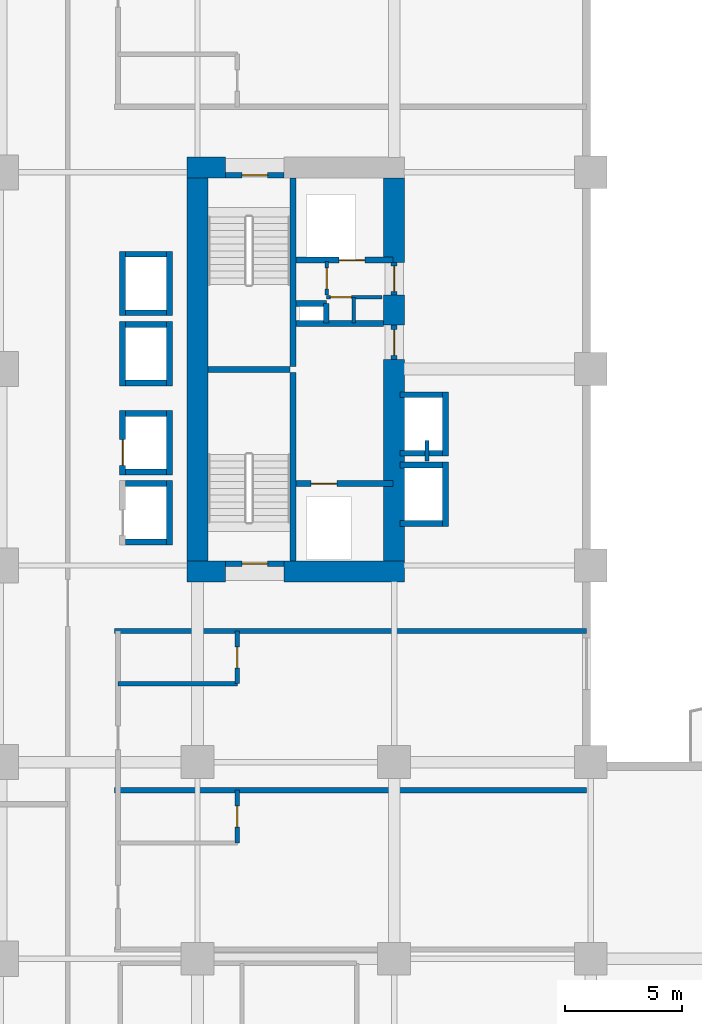
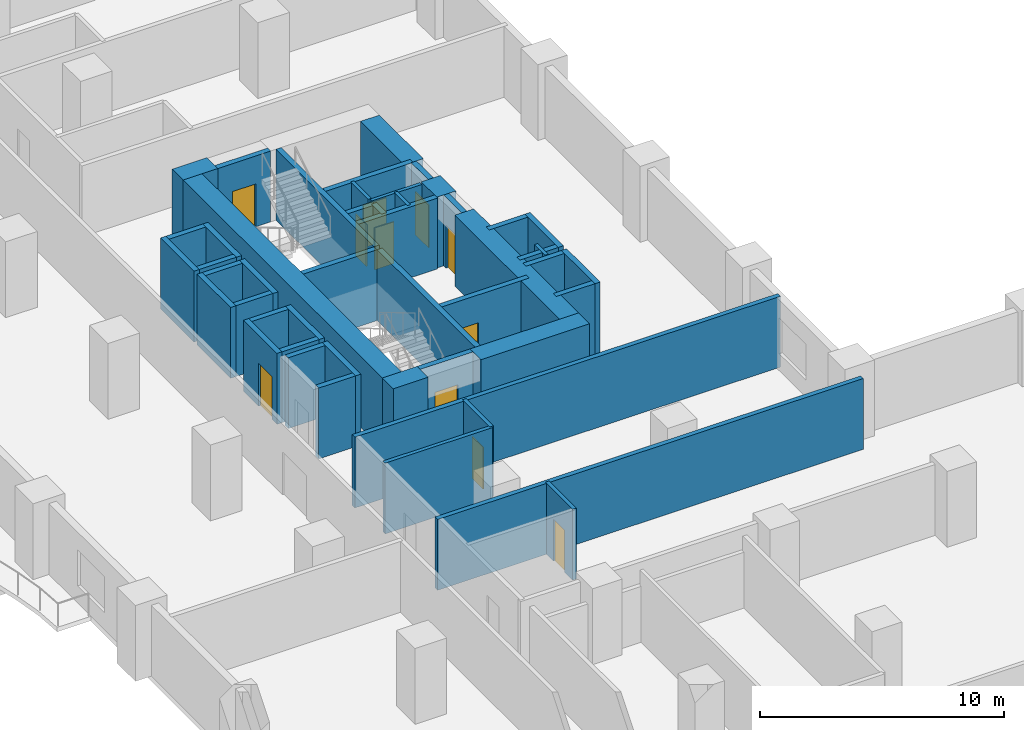
# One storey, part 12 of 22: 49 walls, 11 doors, 11 openings.
"""IFC4 building model written with IfcOpenShell, lengths in metres."""

from ifc_helpers import new_model, si_unit, direction, frame, frame_2d, origin, place, context, subcontext, project, spatial, rectangle, extrude, material, layer, layer_set, type_object, element, fill, save


model = new_model("IFC4")

# Units and contexts
model_context = context("Model", 3, precision=1e-05, world=origin(), true_north=direction((0.0, 1.0)))
body_context = subcontext(model_context, "Body", "Model", "MODEL_VIEW")
ifc_project = project(units=[si_unit("LENGTHUNIT", "METRE"), si_unit("AREAUNIT", "SQUARE_METRE"), si_unit("VOLUMEUNIT", "CUBIC_METRE"), si_unit("PLANEANGLEUNIT", "RADIAN"), si_unit("MASSUNIT", "GRAM", prefix="KILO")], contexts=[model_context])

# Site, building, storey
site_placement = place(None, origin())
site = spatial("IfcSite", under=ifc_project, at=site_placement, CompositionType="ELEMENT")
building_placement = place(site_placement, origin())
building = spatial("IfcBuilding", under=site, at=building_placement, Name="Koriwani Terraces Tower", CompositionType="ELEMENT")
storey_placement = place(building_placement, frame((0.0, 0.0, 62.39990234375)))
storey = spatial("IfcBuildingStorey", under=building, at=storey_placement, Name="L14", CompositionType="ELEMENT", Elevation=62.39990234375)

# Walls
ifc_material_1 = material(Name="Concrete C60/75", Category="concrete")
ifc_layer_1 = layer(ifc_material_1, 0.89990234375, Name="Concrete C60/75")
ifc_layer_set_1 = layer_set([ifc_layer_1], Name="Concrete C60/75")
wall_type_1 = type_object("IfcWallType", Name="WALL_CORE_RC_900", PredefinedType="SHEAR", material=ifc_layer_set_1)
wall_1_placement = place(storey_placement, frame((16.35009765625, 41.75, 0.0), z_axis=(0.0, 0.0, 1.0), x_axis=(1.0, 0.0, 0.0)))
element("IfcWall", 1, at=wall_1_placement, inside=storey, type_object=wall_type_1, Name="L14 West Split Core Shear Wall S1", PredefinedType="SHEAR", context=body_context, shape_type="SweptSolid", body=[
    extrude(rectangle(XDim=1.64990234375, YDim=0.89990234375, at=frame_2d((0.824951171875, 0.0))), origin(), (0.0, 0.0, 1.0), 3.550048828125),
])
wall_2_placement = place(storey_placement, frame((20.5, 41.75, 0.0), z_axis=(0.0, 0.0, 1.0), x_axis=(1.0, 0.0, 0.0)))
element("IfcWall", 2, at=wall_2_placement, inside=storey, type_object=wall_type_1, Name="L14 West Split Core Shear Wall S2", PredefinedType="SHEAR", context=body_context, shape_type="SweptSolid", body=[
    extrude(rectangle(XDim=5.14990234375, YDim=0.89990234375, at=frame_2d((2.574951171875, 0.0))), origin(), (0.0, 0.0, 1.0), 3.550048828125),
])
wall_3_placement = place(storey_placement, frame((16.35009765625, 59.0, 0.0), z_axis=(0.0, 0.0, 1.0), x_axis=(1.0, 0.0, 0.0)))
element("IfcWall", 3, at=wall_3_placement, inside=storey, type_object=wall_type_1, Name="L14 West Split Core Shear Wall N1", PredefinedType="SHEAR", context=body_context, shape_type="SweptSolid", body=[
    extrude(rectangle(XDim=1.64990234375, YDim=0.89990234375, at=frame_2d((0.824951171875, 0.0))), origin(), (0.0, 0.0, 1.0), 3.550048828125),
])
wall_4_placement = place(storey_placement, frame((16.800048828125, 42.199951171875, 0.0), z_axis=(0.0, 0.0, 1.0), x_axis=(0.0, 1.0, 0.0)))
element("IfcWall", 4, at=wall_4_placement, inside=storey, type_object=wall_type_1, Name="L14 West Split Core Shear Wall W1", PredefinedType="SHEAR", context=body_context, shape_type="SweptSolid", body=[
    extrude(rectangle(XDim=16.35009765625, YDim=0.89990234375, at=frame_2d((8.175048828125, 0.0))), origin(), (0.0, 0.0, 1.0), 3.550048828125),
])
wall_5_placement = place(storey_placement, frame((25.199951171875, 42.199951171875, 0.0), z_axis=(0.0, 0.0, 1.0), x_axis=(0.0, 1.0, 0.0)))
element("IfcWall", 5, at=wall_5_placement, inside=storey, type_object=wall_type_1, Name="L14 West Split Core Shear Wall E1", PredefinedType="SHEAR", context=body_context, shape_type="SweptSolid", body=[
    extrude(rectangle(XDim=8.60009765625, YDim=0.89990234375, at=frame_2d((4.300048828125, 0.0))), origin(), (0.0, 0.0, 1.0), 3.550048828125),
])
wall_6_placement = place(storey_placement, frame((25.199951171875, 52.280029296875, 0.0), z_axis=(0.0, 0.0, 1.0), x_axis=(0.0, 1.0, 0.0)))
element("IfcWall", 6, at=wall_6_placement, inside=storey, type_object=wall_type_1, Name="L14 West Split Core Shear Wall E2", PredefinedType="SHEAR", context=body_context, shape_type="SweptSolid", body=[
    extrude(rectangle(XDim=1.27001953125, YDim=0.89990234375, at=frame_2d((0.635009765625, 0.0))), origin(), (0.0, 0.0, 1.0), 3.550048828125),
])
wall_7_placement = place(storey_placement, frame((25.199951171875, 54.949951171875, 0.0), z_axis=(0.0, 0.0, 1.0), x_axis=(0.0, 1.0, 0.0)))
element("IfcWall", 7, at=wall_7_placement, inside=storey, type_object=wall_type_1, Name="L14 West Split Core Shear Wall E3", PredefinedType="SHEAR", context=body_context, shape_type="SweptSolid", body=[
    extrude(rectangle(XDim=3.60009765625, YDim=0.89990234375, at=frame_2d((1.800048828125, 0.0))), origin(), (0.0, 0.0, 1.0), 3.550048828125),
])
ifc_material_2 = material(Name="Autoclaved Cellular Concrete Blockwork", Category="masonry")
ifc_layer_2 = layer(ifc_material_2, 0.219970703125, Name="Autoclaved Cellular Concrete Blockwork")
ifc_layer_set_2 = layer_set([ifc_layer_2], Name="Autoclaved Cellular Concrete Blockwork")
wall_type_2 = type_object("IfcWallType", Name="WALL_DEMISING_220", PredefinedType="PARTITIONING", material=ifc_layer_set_2)
for number, where, z_axis, x_axis, name in (
    (8, (13.25, 32.39990234375, 0.0), (0.0, 0.0, 1.0), (1.0, 0.0, 0.0), "L14 Interior Wall WDEM-L14-NWI-1"),
    (9, (13.25, 39.199951171875, 0.0), (0.0, 0.0, 1.0), (1.0, 0.0, 0.0), "L14 Interior Wall WDEME-L14-NWI"),
):
    element("IfcWall", number, at=place(storey_placement, frame(where, z_axis=z_axis, x_axis=x_axis)), inside=storey, type_object=wall_type_2, Name=name, PredefinedType="PARTITIONING", context=body_context, shape_type="SweptSolid", body=[
        extrude(rectangle(XDim=20.179931640625, YDim=0.219970703125, at=frame_2d((10.08984375, 0.0))), origin(), (0.0, 0.0, 1.0), 3.550048828125),
    ])

# Wall, opening, door
ifc_material_3 = material(Name="Fire-Rated Acoustic Gypsum Partition", Category="masonry")
ifc_layer_3 = layer(ifc_material_3, 0.179931640625, Name="Fire-Rated Acoustic Gypsum Partition")
ifc_layer_set_3 = layer_set([ifc_layer_3], Name="Fire-Rated Acoustic Gypsum Partition")
wall_type_3 = type_object("IfcWallType", Name="WALL_PLUMBING_180", PredefinedType="PLUMBINGWALL", material=ifc_layer_set_3)
wall_8_placement = place(storey_placement, frame((18.5, 30.14990234375, 0.0), z_axis=(0.0, 0.0, 1.0), x_axis=(0.0, 1.0, 0.0)))
wall_8 = element("IfcWall", 10, at=wall_8_placement, inside=storey, type_object=wall_type_3, Name="L14 Interior Wall WBTH1-L14-NWI-0", PredefinedType="PLUMBINGWALL", context=body_context, shape_type="SweptSolid", body=[
    extrude(rectangle(XDim=2.25, YDim=0.179931640625, at=frame_2d((1.125, 0.0))), origin(), (0.0, 0.0, 1.0), 3.550048828125),
])
opening_1_placement = place(wall_8_placement, frame((0.675048828125, 0.0, 0.0)))
opening_1 = element("IfcOpeningElement", 11, at=opening_1_placement, cuts=wall_8, Name="Opening D-07", PredefinedType="OPENING", context=body_context, shape_type="SweptSolid", body=[
    extrude(rectangle(XDim=0.89990234375, YDim=2.10009765625, at=frame_2d((0.449951171875, 1.050048828125))), frame((0.0, 0.10009765625, 0.0), z_axis=(0.0, -1.0, 0.0), x_axis=(1.0, 0.0, 0.0)), (0.0, 0.0, 1.0), 0.199951171875),
])
ifc_material_4 = material(Name="Architectural Oak Fire Door", Category="wood")
door_type_1 = type_object("IfcDoorType", Name="DOOR_BATH_INT_900X2100", OperationType="NOTDEFINED", PredefinedType="DOOR", material=ifc_material_4)
door_1_placement = place(opening_1_placement, origin())
door_1 = element("IfcDoor", 12, at=door_1_placement, inside=storey, type_object=door_type_1, Name="En-Suite Bathroom 14NWI1 Door", OperationType="SINGLE_SWING_LEFT", OverallHeight=2.10009765625, OverallWidth=0.89990234375, PredefinedType="DOOR", context=body_context, shape_type="SweptSolid", body=[
    extrude(rectangle(XDim=0.89990234375, YDim=2.10009765625, at=frame_2d((0.449951171875, 1.050048828125))), frame((0.0, 0.02490234375, 0.0), z_axis=(0.0, -1.0, 0.0), x_axis=(1.0, 0.0, 0.0)), (0.0, 0.0, 1.0), 0.050048828125),
])
fill(opening_1, door_1)

wall_9_placement = place(storey_placement, frame((18.5, 36.949951171875, 0.0), z_axis=(0.0, 0.0, 1.0), x_axis=(0.0, 1.0, 0.0)))
wall_9 = element("IfcWall", 13, at=wall_9_placement, inside=storey, type_object=wall_type_3, Name="L14 Interior Wall WBTH1-L14-NWI-1", PredefinedType="PLUMBINGWALL", context=body_context, shape_type="SweptSolid", body=[
    extrude(rectangle(XDim=2.25, YDim=0.179931640625, at=frame_2d((1.125, 0.0))), origin(), (0.0, 0.0, 1.0), 3.550048828125),
])
opening_2_placement = place(wall_9_placement, frame((0.675048828125, 0.0, 0.0)))
opening_2 = element("IfcOpeningElement", 14, at=opening_2_placement, cuts=wall_9, Name="Opening D-07", PredefinedType="OPENING", context=body_context, shape_type="SweptSolid", body=[
    extrude(rectangle(XDim=0.89990234375, YDim=2.10009765625, at=frame_2d((0.449951171875, 1.050048828125))), frame((0.0, 0.10009765625, 0.0), z_axis=(0.0, -1.0, 0.0), x_axis=(1.0, 0.0, 0.0)), (0.0, 0.0, 1.0), 0.199951171875),
])
door_2_placement = place(opening_2_placement, origin())
door_2 = element("IfcDoor", 15, at=door_2_placement, inside=storey, type_object=door_type_1, Name="En-Suite Bathroom 14NWI2 Door", OperationType="SINGLE_SWING_LEFT", OverallHeight=2.10009765625, OverallWidth=0.89990234375, PredefinedType="DOOR", context=body_context, shape_type="SweptSolid", body=[
    extrude(rectangle(XDim=0.89990234375, YDim=2.10009765625, at=frame_2d((0.449951171875, 1.050048828125))), frame((0.0, 0.02490234375, 0.0), z_axis=(0.0, -1.0, 0.0), x_axis=(1.0, 0.0, 0.0)), (0.0, 0.0, 1.0), 0.050048828125),
])
fill(opening_2, door_2)

# Walls
wall_10_placement = place(storey_placement, frame((13.39990234375, 36.949951171875, 0.0), z_axis=(0.0, 0.0, 1.0), x_axis=(1.0, 0.0, 0.0)))
element("IfcWall", 16, at=wall_10_placement, inside=storey, type_object=wall_type_3, Name="L14 Interior Wall WBTH2-L14-NWI-1", PredefinedType="PLUMBINGWALL", context=body_context, shape_type="SweptSolid", body=[
    extrude(rectangle(XDim=5.10009765625, YDim=0.179931640625, at=frame_2d((2.550048828125, 0.0))), origin(), (0.0, 0.0, 1.0), 3.550048828125),
])
ifc_material_5 = material(Name="Concrete C40/50", Category="concrete")
ifc_layer_4 = layer(ifc_material_5, 0.25, Name="Concrete C40/50")
ifc_layer_set_4 = layer_set([ifc_layer_4], Name="Concrete C40/50")
wall_type_4 = type_object("IfcWallType", Name="WALL_SHAFT_RATED_250", PredefinedType="SOLIDWALL", material=ifc_layer_set_4)
for number, where, z_axis, x_axis, name in (
    (17, (20.875, 42.199951171875, 0.0), (0.0, 0.0, 1.0), (0.0, 1.0, 0.0), "L14 West Split Core Web Wall MID1"),
    (18, (20.875, 50.5, 0.0), (0.0, 0.0, 1.0), (0.0, 1.0, 0.0), "L14 West Split Core Web Wall MID2"),
):
    element("IfcWall", number, at=place(storey_placement, frame(where, z_axis=z_axis, x_axis=x_axis)), inside=storey, type_object=wall_type_4, Name=name, PredefinedType="SOLIDWALL", context=body_context, shape_type="SweptSolid", body=[
        extrude(rectangle(XDim=8.050048828125, YDim=0.25, at=frame_2d((4.02490234375, 0.0))), origin(), (0.0, 0.0, 1.0), 3.550048828125),
    ])
wall_11_placement = place(storey_placement, frame((17.25, 50.375, 0.0), z_axis=(0.0, 0.0, 1.0), x_axis=(1.0, 0.0, 0.0)))
element("IfcWall", 19, at=wall_11_placement, inside=storey, type_object=wall_type_4, Name="L14 West Split Core Stair Dividing Wall", PredefinedType="SOLIDWALL", context=body_context, shape_type="SweptSolid", body=[
    extrude(rectangle(XDim=3.5, YDim=0.25, at=frame_2d((1.75, 0.0))), origin(), (0.0, 0.0, 1.0), 3.550048828125),
])

# Wall, opening, door
wall_12_placement = place(storey_placement, frame((18.0, 42.074951171875, 0.0), z_axis=(0.0, 0.0, 1.0), x_axis=(1.0, 0.0, 0.0)))
wall_12 = element("IfcWall", 20, at=wall_12_placement, inside=storey, type_object=wall_type_4, Name="L14 Interior Wall WIN-CW-L14-STS", PredefinedType="SOLIDWALL", context=body_context, shape_type="SweptSolid", body=[
    extrude(rectangle(XDim=2.5, YDim=0.25, at=frame_2d((1.25, 0.0))), origin(), (0.0, 0.0, 1.0), 3.550048828125),
])
opening_3_placement = place(wall_12_placement, frame((0.699951171875, 0.0, 0.0)))
opening_3 = element("IfcOpeningElement", 21, at=opening_3_placement, cuts=wall_12, Name="Opening D-03", PredefinedType="OPENING", context=body_context, shape_type="SweptSolid", body=[
    extrude(rectangle(XDim=1.10009765625, YDim=2.14990234375, at=frame_2d((0.550048828125, 1.074951171875))), frame((0.0, 0.135009765625, 0.0), z_axis=(0.0, -1.0, 0.0), x_axis=(1.0, 0.0, 0.0)), (0.0, 0.0, 1.0), 0.27001953125),
])
ifc_material_6 = material(Name="Steel ASTM A572 Grade 50", Category="steel")
door_type_2 = type_object("IfcDoorType", Name="DOOR_STAIR_FIRE_1100X2150", OperationType="NOTDEFINED", PredefinedType="DOOR", material=ifc_material_6)
door_3_placement = place(opening_3_placement, origin())
door_3 = element("IfcDoor", 22, at=door_3_placement, inside=storey, type_object=door_type_2, Name="L14 Exit Stair ST-W1 Door", OperationType="SINGLE_SWING_RIGHT", OverallHeight=2.14990234375, OverallWidth=1.10009765625, PredefinedType="DOOR", context=body_context, shape_type="SweptSolid", body=[
    extrude(rectangle(XDim=1.10009765625, YDim=2.14990234375, at=frame_2d((0.550048828125, 1.074951171875))), frame((0.0, 0.02490234375, 0.0), z_axis=(0.0, -1.0, 0.0), x_axis=(1.0, 0.0, 0.0)), (0.0, 0.0, 1.0), 0.050048828125),
])
fill(opening_3, door_3)

wall_13_placement = place(storey_placement, frame((18.0, 58.675048828125, 0.0), z_axis=(0.0, 0.0, 1.0), x_axis=(1.0, 0.0, 0.0)))
wall_13 = element("IfcWall", 23, at=wall_13_placement, inside=storey, type_object=wall_type_4, Name="L14 Interior Wall WIN-CW-L14-STN", PredefinedType="SOLIDWALL", context=body_context, shape_type="SweptSolid", body=[
    extrude(rectangle(XDim=2.5, YDim=0.25, at=frame_2d((1.25, 0.0))), origin(), (0.0, 0.0, 1.0), 3.550048828125),
])
opening_4_placement = place(wall_13_placement, frame((0.699951171875, 0.0, 0.0)))
opening_4 = element("IfcOpeningElement", 24, at=opening_4_placement, cuts=wall_13, Name="Opening D-03", PredefinedType="OPENING", context=body_context, shape_type="SweptSolid", body=[
    extrude(rectangle(XDim=1.10009765625, YDim=2.14990234375, at=frame_2d((0.550048828125, 1.074951171875))), frame((0.0, 0.135009765625, 0.0), z_axis=(0.0, -1.0, 0.0), x_axis=(1.0, 0.0, 0.0)), (0.0, 0.0, 1.0), 0.27001953125),
])
door_4_placement = place(opening_4_placement, origin())
door_4 = element("IfcDoor", 25, at=door_4_placement, inside=storey, type_object=door_type_2, Name="L14 Exit Stair ST-W2 Door", OperationType="SINGLE_SWING_LEFT", OverallHeight=2.14990234375, OverallWidth=1.10009765625, PredefinedType="DOOR", context=body_context, shape_type="SweptSolid", body=[
    extrude(rectangle(XDim=1.10009765625, YDim=2.14990234375, at=frame_2d((0.550048828125, 1.074951171875))), frame((0.0, 0.02490234375, 0.0), z_axis=(0.0, -1.0, 0.0), x_axis=(1.0, 0.0, 0.0)), (0.0, 0.0, 1.0), 0.050048828125),
])
fill(opening_4, door_4)

wall_14_placement = place(storey_placement, frame((21.0, 45.5, 0.0), z_axis=(0.0, 0.0, 1.0), x_axis=(1.0, 0.0, 0.0)))
wall_14 = element("IfcWall", 26, at=wall_14_placement, inside=storey, type_object=wall_type_4, Name="L14 Interior Wall WIN-CW-L14-FE", PredefinedType="SOLIDWALL", context=body_context, shape_type="SweptSolid", body=[
    extrude(rectangle(XDim=4.14990234375, YDim=0.25, at=frame_2d((2.074951171875, 0.0))), origin(), (0.0, 0.0, 1.0), 3.550048828125),
])
opening_5_placement = place(wall_14_placement, frame((0.64990234375, 0.0, 0.0)))
opening_5 = element("IfcOpeningElement", 27, at=opening_5_placement, cuts=wall_14, Name="Opening LD-01", PredefinedType="OPENING", context=body_context, shape_type="SweptSolid", body=[
    extrude(rectangle(XDim=1.10009765625, YDim=2.14990234375, at=frame_2d((0.550048828125, 1.074951171875))), frame((0.0, 0.135009765625, 0.0), z_axis=(0.0, -1.0, 0.0), x_axis=(1.0, 0.0, 0.0)), (0.0, 0.0, 1.0), 0.27001953125),
])
door_type_3 = type_object("IfcDoorType", Name="DOOR_LIFT_LANDING_1100X2200", OperationType="NOTDEFINED", PredefinedType="DOOR", material=ifc_material_6)
door_5_placement = place(opening_5_placement, origin())
door_5 = element("IfcDoor", 28, at=door_5_placement, inside=storey, type_object=door_type_3, Name="L14 Firefighting Lift FE-01 Landing Door", OperationType="SLIDING_TO_LEFT", OverallHeight=2.14990234375, OverallWidth=1.10009765625, PredefinedType="DOOR", context=body_context, shape_type="SweptSolid", body=[
    extrude(rectangle(XDim=1.10009765625, YDim=2.14990234375, at=frame_2d((0.550048828125, 1.074951171875))), frame((0.0, 0.02490234375, 0.0), z_axis=(0.0, -1.0, 0.0), x_axis=(1.0, 0.0, 0.0)), (0.0, 0.0, 1.0), 0.050048828125),
])
fill(opening_5, door_5)

wall_15_placement = place(storey_placement, frame((25.199951171875, 50.800048828125, 0.0), z_axis=(0.0, 0.0, 1.0), x_axis=(0.0, 1.0, 0.0)))
wall_15 = element("IfcWall", 29, at=wall_15_placement, inside=storey, type_object=wall_type_4, Name="L14 Interior Wall WIN-CW-L14-EP", PredefinedType="SOLIDWALL", context=body_context, shape_type="SweptSolid", body=[
    extrude(rectangle(XDim=1.47998046875, YDim=0.25, at=frame_2d((0.739990234375, 0.0))), origin(), (0.0, 0.0, 1.0), 3.550048828125),
])
opening_6_placement = place(wall_15_placement, frame((0.179931640625, 0.0, 0.0)))
opening_6 = element("IfcOpeningElement", 30, at=opening_6_placement, cuts=wall_15, Name="Opening D-03", PredefinedType="OPENING", context=body_context, shape_type="SweptSolid", body=[
    extrude(rectangle(XDim=1.10009765625, YDim=2.14990234375, at=frame_2d((0.550048828125, 1.074951171875))), frame((0.0, 0.135009765625, 0.0), z_axis=(0.0, -1.0, 0.0), x_axis=(1.0, 0.0, 0.0)), (0.0, 0.0, 1.0), 0.27001953125),
])
door_6_placement = place(opening_6_placement, origin())
door_6 = element("IfcDoor", 31, at=door_6_placement, inside=storey, type_object=door_type_2, Name="L14 West Firefighting Lobby Door", OperationType="SINGLE_SWING_RIGHT", OverallHeight=2.14990234375, OverallWidth=1.10009765625, PredefinedType="DOOR", context=body_context, shape_type="SweptSolid", body=[
    extrude(rectangle(XDim=1.10009765625, YDim=2.14990234375, at=frame_2d((0.550048828125, 1.074951171875))), frame((0.0, 0.02490234375, 0.0), z_axis=(0.0, -1.0, 0.0), x_axis=(1.0, 0.0, 0.0)), (0.0, 0.0, 1.0), 0.050048828125),
])
fill(opening_6, door_6)

# Wall
wall_16_placement = place(storey_placement, frame((21.0, 52.340087890625, 0.0), z_axis=(0.0, 0.0, 1.0), x_axis=(1.0, 0.0, 0.0)))
element("IfcWall", 32, at=wall_16_placement, inside=storey, type_object=wall_type_4, Name="L14 Interior Wall WIN-CW-L14-FFN", PredefinedType="SOLIDWALL", context=body_context, shape_type="SweptSolid", body=[
    extrude(rectangle(XDim=3.75, YDim=0.25, at=frame_2d((1.875, 0.0))), origin(), (0.0, 0.0, 1.0), 3.550048828125),
])

# Wall, opening, door
wall_17_placement = place(storey_placement, frame((21.0, 55.050048828125, 0.0), z_axis=(0.0, 0.0, 1.0), x_axis=(1.0, 0.0, 0.0)))
wall_17 = element("IfcWall", 33, at=wall_17_placement, inside=storey, type_object=wall_type_4, Name="L14 Interior Wall WIN-CW-L14-SE", PredefinedType="SOLIDWALL", context=body_context, shape_type="SweptSolid", body=[
    extrude(rectangle(XDim=4.14990234375, YDim=0.25, at=frame_2d((2.074951171875, 0.0))), origin(), (0.0, 0.0, 1.0), 3.550048828125),
])
opening_7_placement = place(wall_17_placement, frame((1.85009765625, 0.0, 0.0)))
opening_7 = element("IfcOpeningElement", 34, at=opening_7_placement, cuts=wall_17, Name="Opening LD-01", PredefinedType="OPENING", context=body_context, shape_type="SweptSolid", body=[
    extrude(rectangle(XDim=1.10009765625, YDim=2.14990234375, at=frame_2d((0.550048828125, 1.074951171875))), frame((0.0, 0.135009765625, 0.0), z_axis=(0.0, -1.0, 0.0), x_axis=(1.0, 0.0, 0.0)), (0.0, 0.0, 1.0), 0.27001953125),
])
door_7_placement = place(opening_7_placement, origin())
door_7 = element("IfcDoor", 35, at=door_7_placement, inside=storey, type_object=door_type_3, Name="L14 Goods Lift SE-01 Landing Door", OperationType="SLIDING_TO_LEFT", OverallHeight=2.14990234375, OverallWidth=1.10009765625, PredefinedType="DOOR", context=body_context, shape_type="SweptSolid", body=[
    extrude(rectangle(XDim=1.10009765625, YDim=2.14990234375, at=frame_2d((0.550048828125, 1.074951171875))), frame((0.0, 0.02490234375, 0.0), z_axis=(0.0, -1.0, 0.0), x_axis=(1.0, 0.0, 0.0)), (0.0, 0.0, 1.0), 0.050048828125),
])
fill(opening_7, door_7)

wall_18_placement = place(storey_placement, frame((25.199951171875, 53.550048828125, 0.0), z_axis=(0.0, 0.0, 1.0), x_axis=(0.0, 1.0, 0.0)))
wall_18 = element("IfcWall", 36, at=wall_18_placement, inside=storey, type_object=wall_type_4, Name="L14 Interior Wall WIN-CW-L14-EP2", PredefinedType="SOLIDWALL", context=body_context, shape_type="SweptSolid", body=[
    extrude(rectangle(XDim=1.39990234375, YDim=0.25, at=frame_2d((0.699951171875, 0.0))), origin(), (0.0, 0.0, 1.0), 3.550048828125),
])
opening_8_placement = place(wall_18_placement, frame((0.14990234375, 0.0, 0.0)))
opening_8 = element("IfcOpeningElement", 37, at=opening_8_placement, cuts=wall_18, Name="Opening D-03", PredefinedType="OPENING", context=body_context, shape_type="SweptSolid", body=[
    extrude(rectangle(XDim=1.10009765625, YDim=2.14990234375, at=frame_2d((0.550048828125, 1.074951171875))), frame((0.0, 0.135009765625, 0.0), z_axis=(0.0, -1.0, 0.0), x_axis=(1.0, 0.0, 0.0)), (0.0, 0.0, 1.0), 0.27001953125),
])
door_8_placement = place(opening_8_placement, origin())
door_8 = element("IfcDoor", 38, at=door_8_placement, inside=storey, type_object=door_type_2, Name="L14 West Goods Lift Lobby Door", OperationType="SINGLE_SWING_LEFT", OverallHeight=2.14990234375, OverallWidth=1.10009765625, PredefinedType="DOOR", context=body_context, shape_type="SweptSolid", body=[
    extrude(rectangle(XDim=1.10009765625, YDim=2.14990234375, at=frame_2d((0.550048828125, 1.074951171875))), frame((0.0, 0.02490234375, 0.0), z_axis=(0.0, -1.0, 0.0), x_axis=(1.0, 0.0, 0.0)), (0.0, 0.0, 1.0), 0.050048828125),
])
fill(opening_8, door_8)

# Walls
wall_19_placement = place(storey_placement, frame((21.0, 53.199951171875, 0.0), z_axis=(0.0, 0.0, 1.0), x_axis=(1.0, 0.0, 0.0)))
element("IfcWall", 39, at=wall_19_placement, inside=storey, type_object=wall_type_4, Name="L14 Interior Wall WIN-CW-L14-RS1", PredefinedType="SOLIDWALL", context=body_context, shape_type="SweptSolid", body=[
    extrude(rectangle(XDim=1.300048828125, YDim=0.25, at=frame_2d((0.64990234375, 0.0))), origin(), (0.0, 0.0, 1.0), 3.550048828125),
])
wall_20_placement = place(storey_placement, frame((22.300048828125, 52.360107421875, 0.0), z_axis=(0.0, 0.0, 1.0), x_axis=(0.0, 1.0, 0.0)))
element("IfcWall", 40, at=wall_20_placement, inside=storey, type_object=wall_type_4, Name="L14 Interior Wall WIN-CW-L14-RS2", PredefinedType="SOLIDWALL", context=body_context, shape_type="SweptSolid", body=[
    extrude(rectangle(XDim=0.83984375, YDim=0.25, at=frame_2d((0.419921875, 0.0))), origin(), (0.0, 0.0, 1.0), 3.550048828125),
])
wall_21_placement = place(storey_placement, frame((15.60009765625, 42.875, 0.0), z_axis=(0.0, 0.0, 1.0), x_axis=(0.0, 1.0, 0.0)))
element("IfcWall", 41, at=wall_21_placement, inside=storey, type_object=wall_type_4, Name="L14 Interior Wall WIN-LF-PE-L1-L14-B", PredefinedType="SOLIDWALL", context=body_context, shape_type="SweptSolid", body=[
    extrude(rectangle(XDim=2.75, YDim=0.25, at=frame_2d((1.375, 0.0))), origin(), (0.0, 0.0, 1.0), 3.550048828125),
])
for number, where, z_axis, x_axis, name in (
    (42, (13.72509765625, 43.0, 0.0), (0.0, 0.0, 1.0), (1.0, 0.0, 0.0), "L14 Interior Wall WIN-LF-PE-L1-L14-S"),
    (43, (13.72509765625, 45.5, 0.0), (0.0, 0.0, 1.0), (1.0, 0.0, 0.0), "L14 Interior Wall WIN-LF-PE-L1-L14-N"),
):
    element("IfcWall", number, at=place(storey_placement, frame(where, z_axis=z_axis, x_axis=x_axis)), inside=storey, type_object=wall_type_4, Name=name, PredefinedType="SOLIDWALL", context=body_context, shape_type="SweptSolid", body=[
        extrude(rectangle(XDim=1.75, YDim=0.25, at=frame_2d((0.875, 0.0))), origin(), (0.0, 0.0, 1.0), 3.550048828125),
    ])

# Wall, opening, door
wall_22_placement = place(storey_placement, frame((13.60009765625, 45.875, 0.0), z_axis=(0.0, 0.0, 1.0), x_axis=(0.0, 1.0, 0.0)))
wall_22 = element("IfcWall", 44, at=wall_22_placement, inside=storey, type_object=wall_type_4, Name="L14 Interior Wall WIN-LF-PE-L2-L14-F", PredefinedType="SOLIDWALL", context=body_context, shape_type="SweptSolid", body=[
    extrude(rectangle(XDim=2.75, YDim=0.25, at=frame_2d((1.375, 0.0))), origin(), (0.0, 0.0, 1.0), 3.550048828125),
])
opening_9_placement = place(wall_22_placement, frame((0.39990234375, 0.0, 0.0)))
opening_9 = element("IfcOpeningElement", 45, at=opening_9_placement, cuts=wall_22, Name="Opening LD-01", PredefinedType="OPENING", context=body_context, shape_type="SweptSolid", body=[
    extrude(rectangle(XDim=1.10009765625, YDim=2.14990234375, at=frame_2d((0.550048828125, 1.074951171875))), frame((0.0, 0.135009765625, 0.0), z_axis=(0.0, -1.0, 0.0), x_axis=(1.0, 0.0, 0.0)), (0.0, 0.0, 1.0), 0.27001953125),
])
door_9_placement = place(opening_9_placement, origin())
door_9 = element("IfcDoor", 46, at=door_9_placement, inside=storey, type_object=door_type_3, Name="L14 Passenger Lift PE-L2 Landing Door", OperationType="SLIDING_TO_LEFT", OverallHeight=2.14990234375, OverallWidth=1.10009765625, PredefinedType="DOOR", context=body_context, shape_type="SweptSolid", body=[
    extrude(rectangle(XDim=1.10009765625, YDim=2.14990234375, at=frame_2d((0.550048828125, 1.074951171875))), frame((0.0, 0.02490234375, 0.0), z_axis=(0.0, -1.0, 0.0), x_axis=(1.0, 0.0, 0.0)), (0.0, 0.0, 1.0), 0.050048828125),
])
fill(opening_9, door_9)

# Walls
wall_23_placement = place(storey_placement, frame((15.60009765625, 45.875, 0.0), z_axis=(0.0, 0.0, 1.0), x_axis=(0.0, 1.0, 0.0)))
element("IfcWall", 47, at=wall_23_placement, inside=storey, type_object=wall_type_4, Name="L14 Interior Wall WIN-LF-PE-L2-L14-B", PredefinedType="SOLIDWALL", context=body_context, shape_type="SweptSolid", body=[
    extrude(rectangle(XDim=2.75, YDim=0.25, at=frame_2d((1.375, 0.0))), origin(), (0.0, 0.0, 1.0), 3.550048828125),
])
for number, where, z_axis, x_axis, name in (
    (48, (13.72509765625, 46.0, 0.0), (0.0, 0.0, 1.0), (1.0, 0.0, 0.0), "L14 Interior Wall WIN-LF-PE-L2-L14-S"),
    (49, (13.72509765625, 48.5, 0.0), (0.0, 0.0, 1.0), (1.0, 0.0, 0.0), "L14 Interior Wall WIN-LF-PE-L2-L14-N"),
):
    element("IfcWall", number, at=place(storey_placement, frame(where, z_axis=z_axis, x_axis=x_axis)), inside=storey, type_object=wall_type_4, Name=name, PredefinedType="SOLIDWALL", context=body_context, shape_type="SweptSolid", body=[
        extrude(rectangle(XDim=1.75, YDim=0.25, at=frame_2d((0.875, 0.0))), origin(), (0.0, 0.0, 1.0), 3.550048828125),
    ])
for number, where, z_axis, x_axis, name in (
    (50, (13.60009765625, 49.675048828125, 0.0), (0.0, 0.0, 1.0), (0.0, 1.0, 0.0), "L14 Interior Wall WIN-LF-PE-M1-L14-F"),
    (51, (15.60009765625, 49.675048828125, 0.0), (0.0, 0.0, 1.0), (0.0, 1.0, 0.0), "L14 Interior Wall WIN-LF-PE-M1-L14-B"),
):
    element("IfcWall", number, at=place(storey_placement, frame(where, z_axis=z_axis, x_axis=x_axis)), inside=storey, type_object=wall_type_4, Name=name, PredefinedType="SOLIDWALL", context=body_context, shape_type="SweptSolid", body=[
        extrude(rectangle(XDim=2.75, YDim=0.25, at=frame_2d((1.375, 0.0))), origin(), (0.0, 0.0, 1.0), 3.550048828125),
    ])
for number, where, z_axis, x_axis, name in (
    (52, (13.72509765625, 49.800048828125, 0.0), (0.0, 0.0, 1.0), (1.0, 0.0, 0.0), "L14 Interior Wall WIN-LF-PE-M1-L14-S"),
    (53, (13.72509765625, 52.300048828125, 0.0), (0.0, 0.0, 1.0), (1.0, 0.0, 0.0), "L14 Interior Wall WIN-LF-PE-M1-L14-N"),
):
    element("IfcWall", number, at=place(storey_placement, frame(where, z_axis=z_axis, x_axis=x_axis)), inside=storey, type_object=wall_type_4, Name=name, PredefinedType="SOLIDWALL", context=body_context, shape_type="SweptSolid", body=[
        extrude(rectangle(XDim=1.75, YDim=0.25, at=frame_2d((0.875, 0.0))), origin(), (0.0, 0.0, 1.0), 3.550048828125),
    ])
for number, where, z_axis, x_axis, name in (
    (54, (13.60009765625, 52.675048828125, 0.0), (0.0, 0.0, 1.0), (0.0, 1.0, 0.0), "L14 Interior Wall WIN-LF-PE-M2-L14-F"),
    (55, (15.60009765625, 52.675048828125, 0.0), (0.0, 0.0, 1.0), (0.0, 1.0, 0.0), "L14 Interior Wall WIN-LF-PE-M2-L14-B"),
):
    element("IfcWall", number, at=place(storey_placement, frame(where, z_axis=z_axis, x_axis=x_axis)), inside=storey, type_object=wall_type_4, Name=name, PredefinedType="SOLIDWALL", context=body_context, shape_type="SweptSolid", body=[
        extrude(rectangle(XDim=2.75, YDim=0.25, at=frame_2d((1.375, 0.0))), origin(), (0.0, 0.0, 1.0), 3.550048828125),
    ])
for number, where, z_axis, x_axis, name in (
    (56, (13.72509765625, 52.800048828125, 0.0), (0.0, 0.0, 1.0), (1.0, 0.0, 0.0), "L14 Interior Wall WIN-LF-PE-M2-L14-S"),
    (57, (13.72509765625, 55.300048828125, 0.0), (0.0, 0.0, 1.0), (1.0, 0.0, 0.0), "L14 Interior Wall WIN-LF-PE-M2-L14-N"),
):
    element("IfcWall", number, at=place(storey_placement, frame(where, z_axis=z_axis, x_axis=x_axis)), inside=storey, type_object=wall_type_4, Name=name, PredefinedType="SOLIDWALL", context=body_context, shape_type="SweptSolid", body=[
        extrude(rectangle(XDim=1.75, YDim=0.25, at=frame_2d((0.875, 0.0))), origin(), (0.0, 0.0, 1.0), 3.550048828125),
    ])
wall_24_placement = place(storey_placement, frame((27.39990234375, 43.675048828125, 0.0), z_axis=(0.0, 0.0, 1.0), x_axis=(0.0, 1.0, 0.0)))
element("IfcWall", 58, at=wall_24_placement, inside=storey, type_object=wall_type_4, Name="L14 Interior Wall WIN-LF-PE-H1-L14-F", PredefinedType="SOLIDWALL", context=body_context, shape_type="SweptSolid", body=[
    extrude(rectangle(XDim=2.75, YDim=0.25, at=frame_2d((1.375, 0.0))), origin(), (0.0, 0.0, 1.0), 3.550048828125),
])
for number, where, z_axis, x_axis, name in (
    (59, (25.449951171875, 43.800048828125, 0.0), (0.0, 0.0, 1.0), (1.0, 0.0, 0.0), "L14 Interior Wall WIN-LF-PE-H1-L14-S"),
    (60, (25.449951171875, 46.300048828125, 0.0), (0.0, 0.0, 1.0), (1.0, 0.0, 0.0), "L14 Interior Wall WIN-LF-PE-H1-L14-N"),
):
    element("IfcWall", number, at=place(storey_placement, frame(where, z_axis=z_axis, x_axis=x_axis)), inside=storey, type_object=wall_type_4, Name=name, PredefinedType="SOLIDWALL", context=body_context, shape_type="SweptSolid", body=[
        extrude(rectangle(XDim=1.824951171875, YDim=0.25, at=frame_2d((0.91259765625, 0.0))), origin(), (0.0, 0.0, 1.0), 3.550048828125),
    ])
wall_25_placement = place(storey_placement, frame((27.39990234375, 46.675048828125, 0.0), z_axis=(0.0, 0.0, 1.0), x_axis=(0.0, 1.0, 0.0)))
element("IfcWall", 61, at=wall_25_placement, inside=storey, type_object=wall_type_4, Name="L14 Interior Wall WIN-LF-PE-H2-L14-F", PredefinedType="SOLIDWALL", context=body_context, shape_type="SweptSolid", body=[
    extrude(rectangle(XDim=2.75, YDim=0.25, at=frame_2d((1.375, 0.0))), origin(), (0.0, 0.0, 1.0), 3.550048828125),
])
for number, where, z_axis, x_axis, name in (
    (62, (25.449951171875, 46.800048828125, 0.0), (0.0, 0.0, 1.0), (1.0, 0.0, 0.0), "L14 Interior Wall WIN-LF-PE-H2-L14-S"),
    (63, (25.449951171875, 49.300048828125, 0.0), (0.0, 0.0, 1.0), (1.0, 0.0, 0.0), "L14 Interior Wall WIN-LF-PE-H2-L14-N"),
):
    element("IfcWall", number, at=place(storey_placement, frame(where, z_axis=z_axis, x_axis=x_axis)), inside=storey, type_object=wall_type_4, Name=name, PredefinedType="SOLIDWALL", context=body_context, shape_type="SweptSolid", body=[
        extrude(rectangle(XDim=1.824951171875, YDim=0.25, at=frame_2d((0.91259765625, 0.0))), origin(), (0.0, 0.0, 1.0), 3.550048828125),
    ])

# Wall, opening, door
ifc_layer_5 = layer(ifc_material_3, 0.159912109375, Name="Fire-Rated Acoustic Gypsum Partition")
ifc_layer_set_5 = layer_set([ifc_layer_5], Name="Fire-Rated Acoustic Gypsum Partition")
wall_type_5 = type_object("IfcWallType", Name="WALL_SUITE_160", PredefinedType="PARTITIONING", material=ifc_layer_set_5)
wall_26_placement = place(storey_placement, frame((22.320068359375, 53.56005859375, 0.0), z_axis=(0.0, 0.0, 1.0), x_axis=(0.0, 1.0, 0.0)))
wall_26 = element("IfcWall", 64, at=wall_26_placement, inside=storey, type_object=wall_type_5, Name="L14 Interior Wall WIN-CW-L14-SV2A", PredefinedType="PARTITIONING", context=body_context, shape_type="SweptSolid", body=[
    extrude(rectangle(XDim=1.43994140625, YDim=0.159912109375, at=frame_2d((0.719970703125, 0.0))), origin(), (0.0, 0.0, 1.0), 3.550048828125),
])
opening_10_placement = place(wall_26_placement, frame((0.260009765625, 0.0, 0.0)))
opening_10 = element("IfcOpeningElement", 65, at=opening_10_placement, cuts=wall_26, Name="Opening D-07", PredefinedType="OPENING", context=body_context, shape_type="SweptSolid", body=[
    extrude(rectangle(XDim=0.89990234375, YDim=2.10009765625, at=frame_2d((0.449951171875, 1.050048828125))), frame((0.0, 0.08984375, 0.0), z_axis=(0.0, -1.0, 0.0), x_axis=(1.0, 0.0, 0.0)), (0.0, 0.0, 1.0), 0.179931640625),
])
door_10_placement = place(opening_10_placement, origin())
door_10 = element("IfcDoor", 66, at=door_10_placement, inside=storey, type_object=door_type_1, Name="L14 West Meter Room Door", OperationType="SINGLE_SWING_RIGHT", OverallHeight=2.10009765625, OverallWidth=0.89990234375, PredefinedType="DOOR", context=body_context, shape_type="SweptSolid", body=[
    extrude(rectangle(XDim=0.89990234375, YDim=2.10009765625, at=frame_2d((0.449951171875, 1.050048828125))), frame((0.0, 0.02490234375, 0.0), z_axis=(0.0, -1.0, 0.0), x_axis=(1.0, 0.0, 0.0)), (0.0, 0.0, 1.0), 0.050048828125),
])
fill(opening_10, door_10)

wall_27_placement = place(storey_placement, frame((22.320068359375, 53.4599609375, 0.0), z_axis=(0.0, 0.0, 1.0), x_axis=(1.0, 0.0, 0.0)))
wall_27 = element("IfcWall", 67, at=wall_27_placement, inside=storey, type_object=wall_type_5, Name="L14 Interior Wall WIN-CW-L14-SV2H", PredefinedType="PARTITIONING", context=body_context, shape_type="SweptSolid", body=[
    extrude(rectangle(XDim=2.35986328125, YDim=0.159912109375, at=frame_2d((1.179931640625, 0.0))), origin(), (0.0, 0.0, 1.0), 3.550048828125),
])
opening_11_placement = place(wall_27_placement, frame((0.159912109375, 0.0, 0.0)))
opening_11 = element("IfcOpeningElement", 68, at=opening_11_placement, cuts=wall_27, Name="Opening D-07", PredefinedType="OPENING", context=body_context, shape_type="SweptSolid", body=[
    extrude(rectangle(XDim=0.89990234375, YDim=2.10009765625, at=frame_2d((0.449951171875, 1.050048828125))), frame((0.0, 0.08984375, 0.0), z_axis=(0.0, -1.0, 0.0), x_axis=(1.0, 0.0, 0.0)), (0.0, 0.0, 1.0), 0.179931640625),
])
door_11_placement = place(opening_11_placement, origin())
door_11 = element("IfcDoor", 69, at=door_11_placement, inside=storey, type_object=door_type_1, Name="L14 West Valve Room Door", OperationType="SINGLE_SWING_LEFT", OverallHeight=2.10009765625, OverallWidth=0.89990234375, PredefinedType="DOOR", context=body_context, shape_type="SweptSolid", body=[
    extrude(rectangle(XDim=0.89990234375, YDim=2.10009765625, at=frame_2d((0.449951171875, 1.050048828125))), frame((0.0, 0.02490234375, 0.0), z_axis=(0.0, -1.0, 0.0), x_axis=(1.0, 0.0, 0.0)), (0.0, 0.0, 1.0), 0.050048828125),
])
fill(opening_11, door_11)

# Walls
wall_28_placement = place(storey_placement, frame((23.47998046875, 52.360107421875, 0.0), z_axis=(0.0, 0.0, 1.0), x_axis=(0.0, 1.0, 0.0)))
element("IfcWall", 70, at=wall_28_placement, inside=storey, type_object=wall_type_5, Name="L14 Interior Wall WIN-CW-L14-SV2V", PredefinedType="PARTITIONING", context=body_context, shape_type="SweptSolid", body=[
    extrude(rectangle(XDim=1.099853515625, YDim=0.159912109375, at=frame_2d((0.5498046875, 0.0))), origin(), (0.0, 0.0, 1.0), 3.550048828125),
])
wall_29_placement = place(storey_placement, frame((26.60009765625, 46.4599609375, 0.0), z_axis=(0.0, 0.0, 1.0), x_axis=(0.0, 1.0, 0.0)))
element("IfcWall", 71, at=wall_29_placement, inside=storey, type_object=wall_type_5, Name="L14 Interior Wall WIN-LF-PEH12-MID-L14", PredefinedType="PARTITIONING", context=body_context, shape_type="SweptSolid", body=[
    extrude(rectangle(XDim=0.880126953125, YDim=0.159912109375, at=frame_2d((0.43994140625, 0.0))), origin(), (0.0, 0.0, 1.0), 3.550048828125),
])

save(model, "model.ifc")
